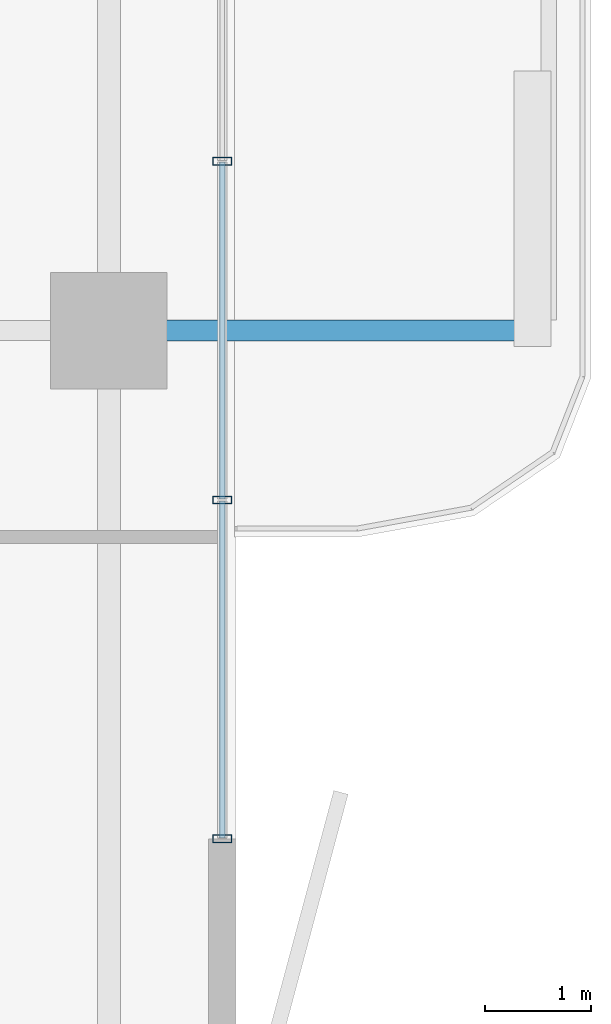
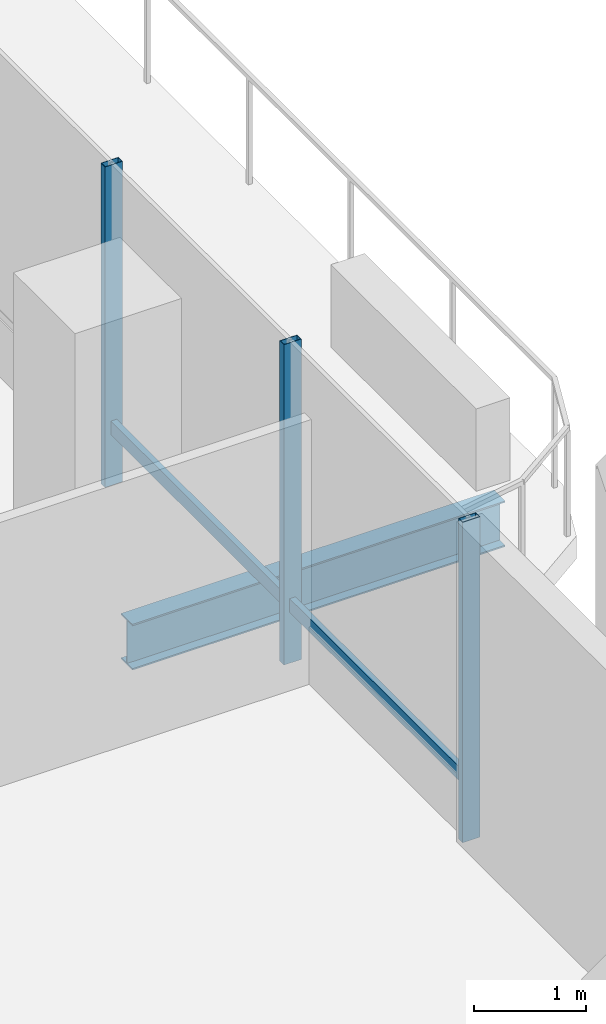
# One storey, part 8 of 24: 5 members, 1 beam, 1 element without a shape of its own.
"""IFC4 building model written with IfcOpenShell, lengths in metres."""

from ifc_helpers import new_model, si_unit, direction, frame, origin, origin_2d, place, context, subcontext, project, spatial, hollow_rectangle, i_section, extrude, material, layer, layer_set, material_profile, profile_set, type_object, element, aggregate, save


model = new_model("IFC4")

# Units and contexts
model_context = context("Model", 3, precision=1e-05, world=origin(), true_north=direction((0.0, 1.0)))
body_context = subcontext(model_context, "Body", "Model", "MODEL_VIEW")
ifc_project = project(units=[si_unit("LENGTHUNIT", "METRE"), si_unit("AREAUNIT", "SQUARE_METRE"), si_unit("VOLUMEUNIT", "CUBIC_METRE"), si_unit("PLANEANGLEUNIT", "RADIAN"), si_unit("MASSUNIT", "GRAM", prefix="KILO")], contexts=[model_context])

# Site, building, storey
site_placement = place(None, origin())
site = spatial("IfcSite", under=ifc_project, at=site_placement, CompositionType="ELEMENT")
building_placement = place(site_placement, origin())
building = spatial("IfcBuilding", under=site, at=building_placement, Name="Belovzor Exchange Tower", CompositionType="ELEMENT")
storey_placement = place(building_placement, frame((0.0, 0.0, 233.699951171875)))
storey = spatial("IfcBuildingStorey", under=building, at=storey_placement, Name="L58", CompositionType="ELEMENT", Elevation=233.699951171875)

# Beam
ifc_material_1 = material(Name="Steel S355", Category="steel")
ifc_material_profile_1 = material_profile(ifc_material_1, i_section(OverallWidth=0.199951171875, OverallDepth=0.5, WebThickness=0.01025390625, FlangeThickness=0.01611328125, at=origin_2d()))
ifc_profile_set_1 = profile_set([ifc_material_profile_1], Name="Steel S355")
beam_type = type_object("IfcBeamType", Name="Planted Balcony Cantilever Beam IPE 500", PredefinedType="BEAM", material=ifc_profile_set_1)
beam_placement = place(storey_placement, frame((54.903076171875, 28.800048828125, -0.5), z_axis=(1.0, 0.0, 0.0), x_axis=(0.0, 1.0, 0.0)))
element("IfcBeam", 1, at=beam_placement, inside=storey, type_object=beam_type, Name="BC-500 Planted Balcony Cantilever Beam IPE 500", PredefinedType="BEAM", context=body_context, shape_type="SweptSolid", body=[
    extrude(i_section(OverallWidth=0.199951171875, OverallDepth=0.5, WebThickness=0.01025390625, FlangeThickness=0.01611328125, at=origin_2d()), origin(), (0.0, 0.0, 1.0), 3.849853515625),
])

# Curtain wall, members
ifc_material_2 = material(Name="Anodised Aluminium Framing", Category="aluminium")
ifc_layer = layer(ifc_material_2, 0.179931640625)
ifc_layer_set = layer_set([ifc_layer], Name="Anodised Aluminium Framing")
curtain_wall_type = type_object("IfcCurtainWallType", Name="Recessed Loggia Low-Iron Triple-Glazed Curtain Wall", PredefinedType="NOTDEFINED", material=ifc_layer_set)
curtain_wall_placement = place(storey_placement, origin())
curtain_wall = element("IfcCurtainWall", 2, at=curtain_wall_placement, inside=storey, type_object=curtain_wall_type, Name="CW3 Recessed Loggia Low-Iron Triple-Glazed Curtain Wall L58", PredefinedType="NOTDEFINED")
ifc_material_3 = material(Name="Steel S355", Category="steel")
ifc_material_profile_2 = material_profile(ifc_material_3, hollow_rectangle(XDim=0.074951171875, YDim=0.179931640625, WallThickness=0.0048828125, at=origin_2d()))
ifc_profile_set_2 = profile_set([ifc_material_profile_2], Name="Steel S355")
member_type_1 = type_object("IfcMemberType", Name="Thermally Broken Curtain Wall Mullion 180x75", PredefinedType="MULLION", material=ifc_profile_set_2)
member_1_placement = place(storey_placement, frame((55.669921875, 30.39990234375, 0.0), z_axis=(0.0, 0.0, 1.0), x_axis=(0.0, -1.0, 0.0)))
member_1 = element("IfcMember", 3, at=member_1_placement, type_object=member_type_1, Name="CW-M180 Curtain Wall Mullion 2", PredefinedType="MULLION", context=body_context, shape_type="SweptSolid", body=[
    extrude(hollow_rectangle(XDim=0.074951171875, YDim=0.179931640625, WallThickness=0.0048828125, at=origin_2d()), origin(), (0.0, 0.0, 1.0), 3.5),
])
member_2_placement = place(storey_placement, frame((55.669921875, 27.199951171875, 0.0), z_axis=(0.0, 0.0, 1.0), x_axis=(0.0, -1.0, 0.0)))
member_2 = element("IfcMember", 4, at=member_2_placement, type_object=member_type_1, Name="CW-M180 Curtain Wall Mullion 3", PredefinedType="MULLION", context=body_context, shape_type="SweptSolid", body=[
    extrude(hollow_rectangle(XDim=0.074951171875, YDim=0.179931640625, WallThickness=0.0048828125, at=origin_2d()), origin(), (0.0, 0.0, 1.0), 3.5),
])
member_3_placement = place(storey_placement, frame((55.669921875, 24.0, 0.0), z_axis=(0.0, 0.0, 1.0), x_axis=(0.0, -1.0, 0.0)))
member_3 = element("IfcMember", 5, at=member_3_placement, type_object=member_type_1, Name="CW-M180 Curtain Wall Mullion 4", PredefinedType="MULLION", context=body_context, shape_type="SweptSolid", body=[
    extrude(hollow_rectangle(XDim=0.074951171875, YDim=0.179931640625, WallThickness=0.0048828125, at=origin_2d()), origin(), (0.0, 0.0, 1.0), 3.5),
])
ifc_material_4 = material(Name="Steel S355", Category="steel")
ifc_material_profile_3 = material_profile(ifc_material_4, hollow_rectangle(XDim=0.06005859375, YDim=0.14990234375, WallThickness=0.00390625, at=origin_2d()))
ifc_profile_set_3 = profile_set([ifc_material_profile_3], Name="Steel S355")
member_type_2 = type_object("IfcMemberType", Name="Thermally Broken Curtain Wall Transom 150x60", PredefinedType="USERDEFINED", material=ifc_profile_set_3)
member_4_placement = place(storey_placement, frame((55.669921875, 30.39208984375, 0.630126953125), z_axis=(0.0, -1.0, 0.0), x_axis=(1.0, 0.0, 0.0)))
member_4 = element("IfcMember", 6, at=member_4_placement, type_object=member_type_2, Name="CW-T150 Curtain Wall Transom 2", ObjectType="TRANSOM", PredefinedType="USERDEFINED", context=body_context, shape_type="SweptSolid", body=[
    extrude(hollow_rectangle(XDim=0.06005859375, YDim=0.14990234375, WallThickness=0.00390625, at=origin_2d()), origin(), (0.0, 0.0, 1.0), 3.18408203125),
])
member_5_placement = place(storey_placement, frame((55.669921875, 27.19189453125, 0.630126953125), z_axis=(0.0, -1.0, 0.0), x_axis=(1.0, 0.0, 0.0)))
member_5 = element("IfcMember", 7, at=member_5_placement, type_object=member_type_2, Name="CW-T150 Curtain Wall Transom 3", ObjectType="TRANSOM", PredefinedType="USERDEFINED", context=body_context, shape_type="SweptSolid", body=[
    extrude(hollow_rectangle(XDim=0.06005859375, YDim=0.14990234375, WallThickness=0.00390625, at=origin_2d()), origin(), (0.0, 0.0, 1.0), 3.183837890625),
])
aggregate(curtain_wall, [member_1, member_2, member_3, member_4, member_5])

save(model, "model.ifc")
